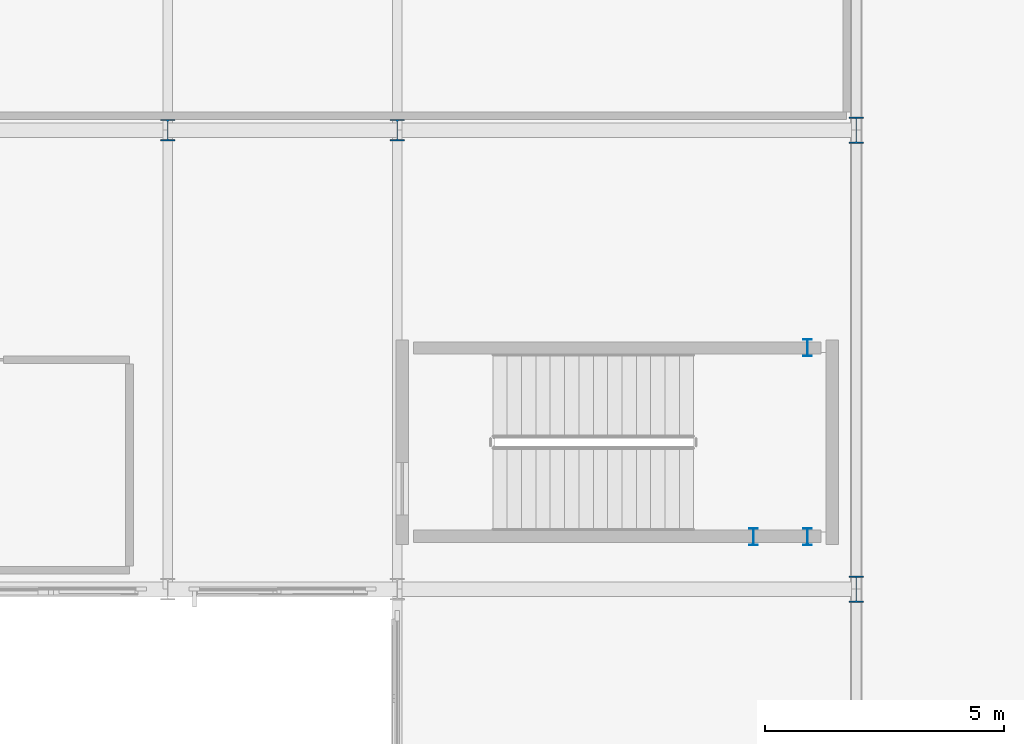
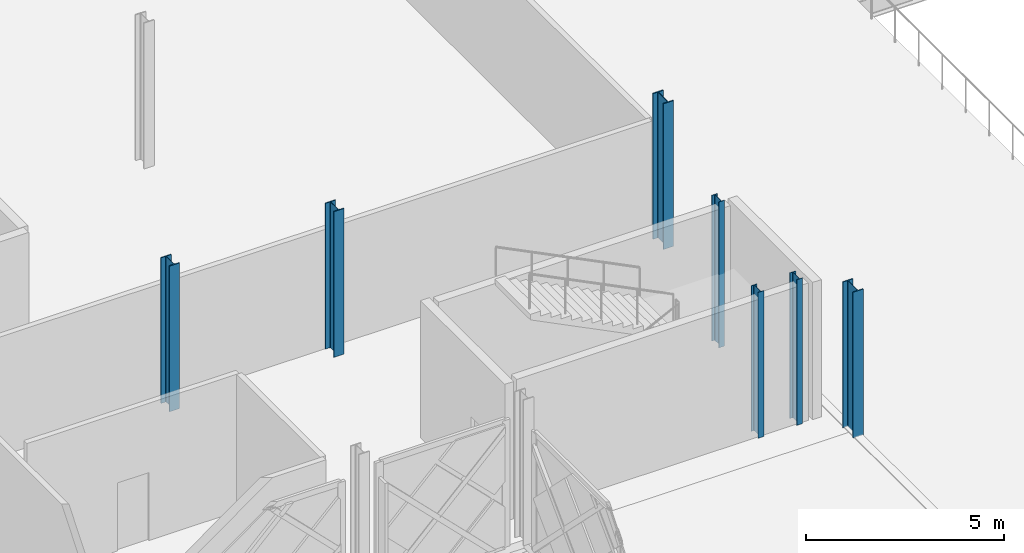
# One storey, part 14 of 101: 7 columns.
"""IFC4 building model written with IfcOpenShell, lengths in metres."""

from ifc_helpers import new_model, si_unit, direction, frame, origin, origin_2d, place, context, subcontext, project, spatial, i_section, extrude, material, material_profile, profile_set, type_object, element, save


model = new_model("IFC4")

# Units and contexts
model_context = context("Model", 3, precision=1e-05, world=origin(), true_north=direction((0.0, 1.0)))
body_context = subcontext(model_context, "Body", "Model", "MODEL_VIEW")
ifc_project = project(units=[si_unit("LENGTHUNIT", "METRE"), si_unit("AREAUNIT", "SQUARE_METRE"), si_unit("VOLUMEUNIT", "CUBIC_METRE"), si_unit("PLANEANGLEUNIT", "RADIAN"), si_unit("MASSUNIT", "GRAM", prefix="KILO")], contexts=[model_context])

# Site, building, storey
site_placement = place(None, origin())
site = spatial("IfcSite", under=ifc_project, at=site_placement, CompositionType="ELEMENT")
building_placement = place(site_placement, origin())
building = spatial("IfcBuilding", under=site, at=building_placement, Name="Zevrakil Square Congress Hotel", CompositionType="ELEMENT")
storey_placement = place(building_placement, frame((0.0, 0.0, 5.39990234375)))
storey = spatial("IfcBuildingStorey", under=building, at=storey_placement, Name="L02", CompositionType="ELEMENT", Elevation=5.39990234375)

# Columns
ifc_material_1 = material(Name="Steel S355", Category="steel")
ifc_material_profile_1 = material_profile(ifc_material_1, i_section(OverallWidth=0.300048828125, OverallDepth=0.449951171875, WebThickness=0.013916015625, FlangeThickness=0.02587890625, FilletRadius=0.027099609375, at=origin_2d()), Name="HEB 450")
ifc_profile_set_1 = profile_set([ifc_material_profile_1], Name="Steel S355")
column_type_1 = type_object("IfcColumnType", Name="COL-HEB450", PredefinedType="COLUMN", material=ifc_profile_set_1)
for number, where, z_axis, x_axis, name in (
    (1, (103.199951171875, 93.60009765625, 0.0), (0.0, 0.0, 1.0), (1.0, 0.0, 0.0), "L02 column C-159"),
    (2, (108.0, 93.60009765625, 0.0), (0.0, 0.0, 1.0), (1.0, 0.0, 0.0), "L02 column C-173"),
):
    element("IfcColumn", number, at=place(storey_placement, frame(where, z_axis=z_axis, x_axis=x_axis)), inside=storey, type_object=column_type_1, Name=name, PredefinedType="COLUMN", context=body_context, shape_type="SweptSolid", body=[
        extrude(i_section(OverallWidth=0.300048828125, OverallDepth=0.449951171875, WebThickness=0.013916015625, FlangeThickness=0.02587890625, FilletRadius=0.027099609375, at=origin_2d()), origin(), (0.0, 0.0, 1.0), 4.5),
    ])
ifc_material_2 = material(Name="Steel S355", Category="steel")
ifc_material_profile_2 = material_profile(ifc_material_2, i_section(OverallWidth=0.300048828125, OverallDepth=0.550048828125, WebThickness=0.014892578125, FlangeThickness=0.029052734375, FilletRadius=0.027099609375, at=origin_2d()), Name="HEB 550")
ifc_profile_set_2 = profile_set([ifc_material_profile_2], Name="Steel S355")
column_type_2 = type_object("IfcColumnType", Name="COL-HEB550", PredefinedType="COLUMN", material=ifc_profile_set_2)
for number, where, z_axis, x_axis, name in (
    (3, (117.60009765625, 84.0, 0.0), (0.0, 0.0, 1.0), (1.0, 0.0, 0.0), "L02 column C-190"),
    (4, (117.60009765625, 93.60009765625, 0.0), (0.0, 0.0, 1.0), (1.0, 0.0, 0.0), "L02 column C-191"),
):
    element("IfcColumn", number, at=place(storey_placement, frame(where, z_axis=z_axis, x_axis=x_axis)), inside=storey, type_object=column_type_2, Name=name, PredefinedType="COLUMN", context=body_context, shape_type="SweptSolid", body=[
        extrude(i_section(OverallWidth=0.300048828125, OverallDepth=0.550048828125, WebThickness=0.014892578125, FlangeThickness=0.029052734375, FilletRadius=0.027099609375, at=origin_2d()), origin(), (0.0, 0.0, 1.0), 4.5),
    ])
ifc_material_3 = material(Name="Steel S355", Category="steel")
ifc_material_profile_3 = material_profile(ifc_material_3, i_section(OverallWidth=0.169921875, OverallDepth=0.360107421875, WebThickness=0.008056640625, FlangeThickness=0.0126953125, FilletRadius=0.01806640625, at=origin_2d()), Name="IPE 360")
ifc_profile_set_3 = profile_set([ifc_material_profile_3], Name="Steel S355")
column_type_3 = type_object("IfcColumnType", Name="COL-PILASTER-SHS180", PredefinedType="PILASTER", material=ifc_profile_set_3)
for number, where, z_axis, x_axis, name in (
    (5, (115.449951171875, 85.10009765625, 0.0), (0.0, 0.0, 1.0), (1.0, 0.0, 0.0), "L02 ST06 stair shaft post 1"),
    (6, (116.580078125, 85.10009765625, 0.0), (0.0, 0.0, 1.0), (1.0, 0.0, 0.0), "L02 ST06 stair shaft post 2"),
    (7, (116.580078125, 89.050048828125, 0.0), (0.0, 0.0, 1.0), (1.0, 0.0, 0.0), "L02 ST06 stair shaft post 3"),
):
    element("IfcColumn", number, at=place(storey_placement, frame(where, z_axis=z_axis, x_axis=x_axis)), inside=storey, type_object=column_type_3, Name=name, PredefinedType="PILASTER", context=body_context, shape_type="SweptSolid", body=[
        extrude(i_section(OverallWidth=0.169921875, OverallDepth=0.360107421875, WebThickness=0.008056640625, FlangeThickness=0.0126953125, FilletRadius=0.01806640625, at=origin_2d()), origin(), (0.0, 0.0, 1.0), 4.5),
    ])

save(model, "model.ifc")
